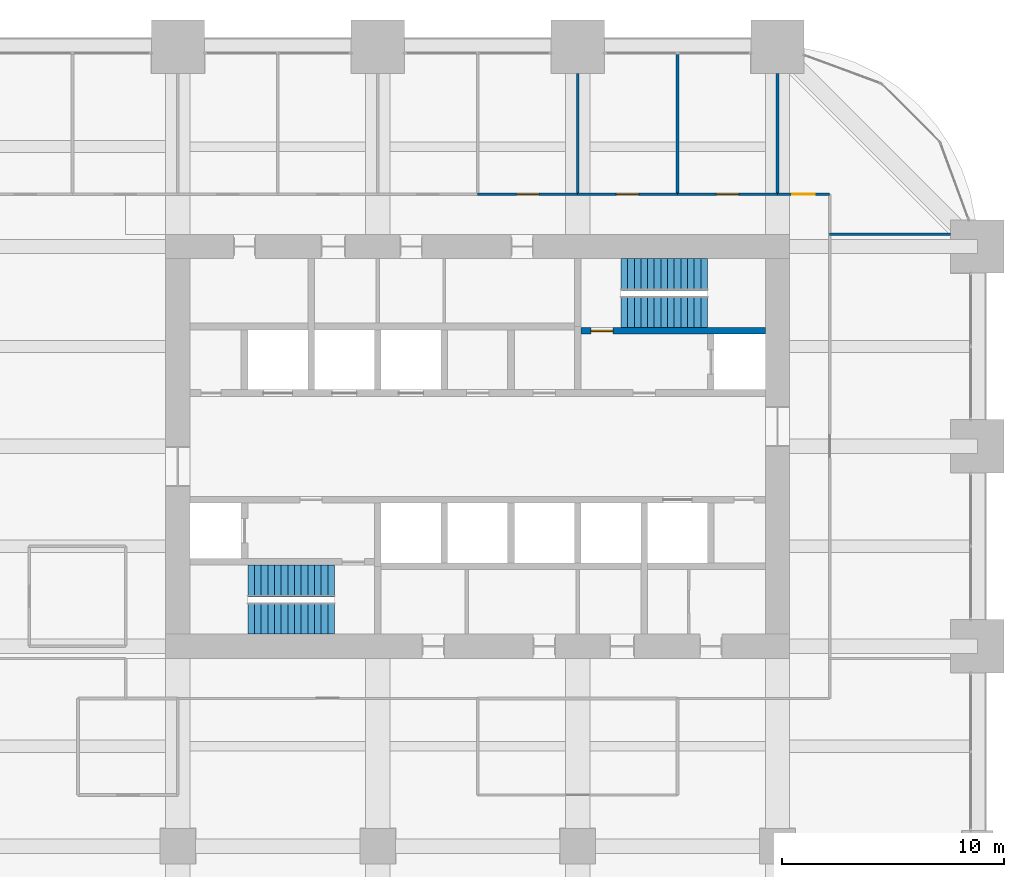
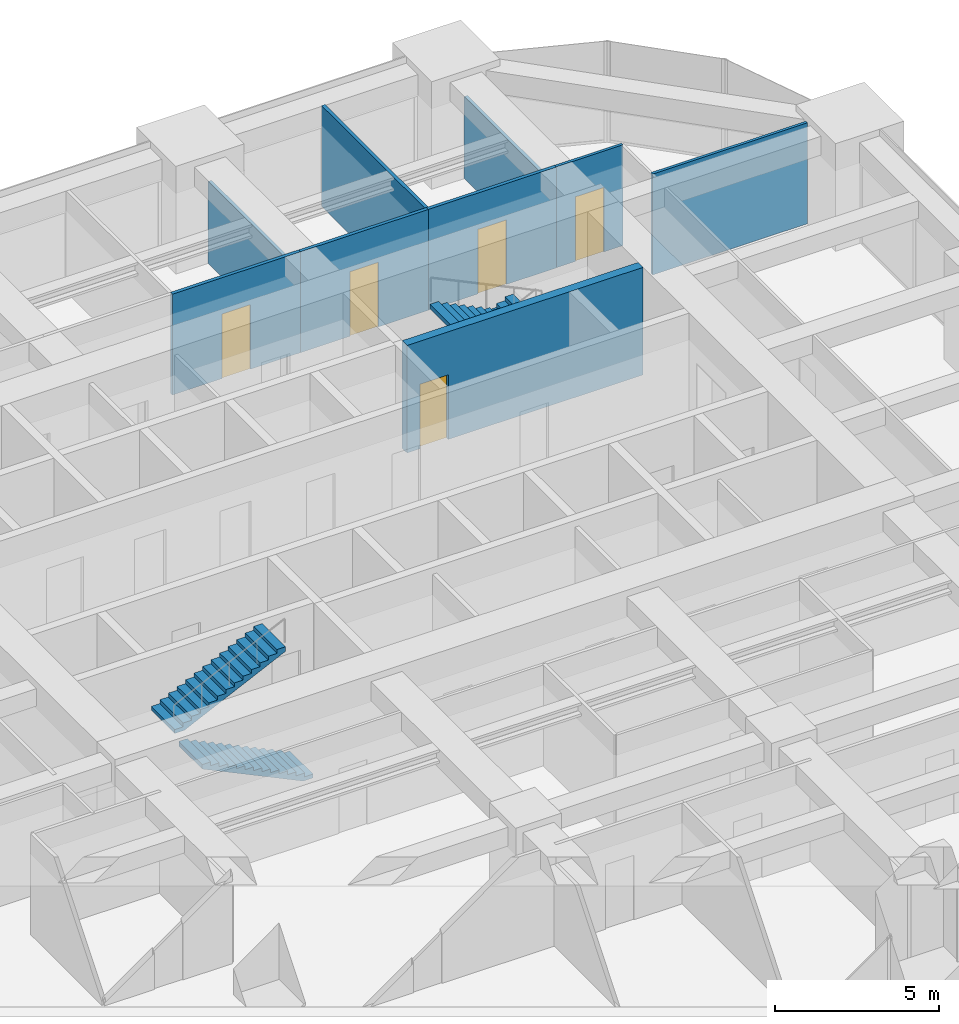
# One storey, part 32 of 34: 9 walls, 5 doors, 4 stair flights, 5 openings, 2 elements without a shape of their own.
"""IFC4 building model written with IfcOpenShell, lengths in metres."""

from ifc_helpers import new_model, si_unit, direction, frame, frame_2d, origin, place, context, subcontext, project, spatial, polyline, rectangle, outline, extrude, material, layer, layer_set, type_object, element, fill, aggregate, save


model = new_model("IFC4")

# Units and contexts
model_context = context("Model", 3, precision=1e-05, world=origin(), true_north=direction((0.0, 1.0)))
body_context = subcontext(model_context, "Body", "Model", "MODEL_VIEW")
ifc_project = project(units=[si_unit("LENGTHUNIT", "METRE"), si_unit("AREAUNIT", "SQUARE_METRE"), si_unit("VOLUMEUNIT", "CUBIC_METRE"), si_unit("PLANEANGLEUNIT", "RADIAN"), si_unit("MASSUNIT", "GRAM", prefix="KILO")], contexts=[model_context])

# Site, building, storey
site_placement = place(None, origin())
site = spatial("IfcSite", under=ifc_project, at=site_placement, CompositionType="ELEMENT")
building_placement = place(site_placement, origin())
building = spatial("IfcBuilding", under=site, at=building_placement, Name="Zorevar Civic Tower", CompositionType="ELEMENT")
storey_placement = place(building_placement, frame((0.0, 0.0, 170.199951171875)))
storey = spatial("IfcBuildingStorey", under=building, at=storey_placement, Name="L41", CompositionType="ELEMENT", Elevation=170.199951171875)

# Wall
ifc_material_1 = material(Name="Laminated glass in black aluminium frame", Category="aluminium")
ifc_layer_1 = layer(ifc_material_1, 0.10009765625)
ifc_layer_set_1 = layer_set([ifc_layer_1], Name="Glazed partition 100")
wall_type_1 = type_object("IfcWallType", Name="Glazed partition 100", PredefinedType="PARTITIONING", material=ifc_layer_set_1)
wall_1_placement = place(storey_placement, frame((47.35009765625, 36.550048828125, 0.0), z_axis=(0.0, 0.0, 1.0), x_axis=(1.0, 0.0, 0.0)))
element("IfcWall", 1, at=wall_1_placement, inside=storey, type_object=wall_type_1, Name="Glazed partition 100 L41", PredefinedType="PARTITIONING", context=body_context, shape_type="SweptSolid", body=[
    extrude(rectangle(XDim=5.449951171875, YDim=0.10009765625, at=frame_2d((2.72509765625, 0.0))), origin(), (0.0, 0.0, 1.0), 3.75),
])

# Wall, opening, door
wall_2_placement = place(storey_placement, frame((45.0, 38.35009765625, 0.0), z_axis=(0.0, 0.0, 1.0), x_axis=(1.0, 0.0, 0.0)))
wall_2 = element("IfcWall", 2, at=wall_2_placement, inside=storey, type_object=wall_type_1, Name="Glazed partition 100 L41", PredefinedType="PARTITIONING", context=body_context, shape_type="SweptSolid", body=[
    extrude(rectangle(XDim=2.35009765625, YDim=0.10009765625, at=frame_2d((1.175048828125, 0.0))), origin(), (0.0, 0.0, 1.0), 3.75),
])
opening_1_placement = place(wall_2_placement, frame((0.675048828125, 0.0, 0.0)))
opening_1 = element("IfcOpeningElement", 3, at=opening_1_placement, cuts=wall_2, Name="Opening L41.34", PredefinedType="OPENING", context=body_context, shape_type="SweptSolid", body=[
    extrude(rectangle(XDim=1.0, YDim=2.39990234375, at=frame_2d((0.5, 1.199951171875))), frame((0.0, 0.06005859375, 0.0), z_axis=(0.0, -1.0, 0.0), x_axis=(1.0, 0.0, 0.0)), (0.0, 0.0, 1.0), 0.1201171875),
])
ifc_material_2 = material(Name="Timber door set", Category="wood")
door_type_1 = type_object("IfcDoorType", Name="Glazed door GD1 1000x2400", OperationType="SINGLE_SWING_LEFT", PredefinedType="DOOR", material=ifc_material_2)
door_1_placement = place(opening_1_placement, origin())
door_1 = element("IfcDoor", 4, at=door_1_placement, inside=storey, type_object=door_type_1, Name="Door L41 D1", OperationType="SINGLE_SWING_RIGHT", OverallHeight=2.39990234375, OverallWidth=1.0, PredefinedType="DOOR", context=body_context, shape_type="SweptSolid", body=[
    extrude(rectangle(XDim=1.0, YDim=2.39990234375, at=frame_2d((0.5, 1.199951171875))), frame((0.0, 0.02001953125, 0.0), z_axis=(0.0, -1.0, 0.0), x_axis=(1.0, 0.0, 0.0)), (0.0, 0.0, 1.0), 0.0400390625),
])
fill(opening_1, door_1)

ifc_material_3 = material(Name="Concrete C40/50", Category="concrete")
ifc_layer_2 = layer(ifc_material_3, 0.300048828125)
ifc_layer_set_2 = layer_set([ifc_layer_2], Name="Inner core wall 300")
wall_type_2 = type_object("IfcWallType", Name="Inner core wall 300", PredefinedType="SHEAR", material=ifc_layer_set_2)
wall_3_placement = place(storey_placement, frame((36.14990234375, 32.199951171875, 0.0), z_axis=(0.0, 0.0, 1.0), x_axis=(1.0, 0.0, 0.0)))
wall_3 = element("IfcWall", 5, at=wall_3_placement, inside=storey, type_object=wall_type_2, Name="Inner core wall N00 L41", PredefinedType="SHEAR", context=body_context, shape_type="SweptSolid", body=[
    extrude(rectangle(XDim=8.300048828125, YDim=0.300048828125, at=frame_2d((4.14990234375, 0.0))), origin(), (0.0, 0.0, 1.0), 4.0),
])
opening_2_placement = place(wall_3_placement, frame((0.449951171875, 0.0, 0.0)))
opening_2 = element("IfcOpeningElement", 6, at=opening_2_placement, cuts=wall_3, Name="Opening L41.12", PredefinedType="OPENING", context=body_context, shape_type="SweptSolid", body=[
    extrude(rectangle(XDim=1.0, YDim=2.39990234375, at=frame_2d((0.5, 1.199951171875))), frame((0.0, 0.159912109375, 0.0), z_axis=(0.0, -1.0, 0.0), x_axis=(1.0, 0.0, 0.0)), (0.0, 0.0, 1.0), 0.320068359375),
])
ifc_material_4 = material(Name="Steel door set", Category="steel")
door_type_2 = type_object("IfcDoorType", Name="Fire door FD1 1000x2400", OperationType="SINGLE_SWING_LEFT", PredefinedType="DOOR", material=ifc_material_4)
door_2_placement = place(opening_2_placement, origin())
door_2 = element("IfcDoor", 7, at=door_2_placement, inside=storey, type_object=door_type_2, Name="Door L41 11", OperationType="SINGLE_SWING_RIGHT", OverallHeight=2.39990234375, OverallWidth=1.0, PredefinedType="DOOR", context=body_context, shape_type="SweptSolid", body=[
    extrude(rectangle(XDim=1.0, YDim=2.39990234375, at=frame_2d((0.5, 1.199951171875))), frame((0.0, 0.030029296875, 0.0), z_axis=(0.0, -1.0, 0.0), x_axis=(1.0, 0.0, 0.0)), (0.0, 0.0, 1.0), 0.06005859375),
])
fill(opening_2, door_2)

ifc_material_5 = material(Name="Gypsum board on steel studs", Category="steel")
ifc_layer_3 = layer(ifc_material_5, 0.1201171875)
ifc_layer_set_3 = layer_set([ifc_layer_3], Name="Partition 120")
wall_type_3 = type_object("IfcWallType", Name="Partition 120", PredefinedType="PARTITIONING", material=ifc_layer_set_3)
wall_4_placement = place(storey_placement, frame((31.5, 38.35009765625, 0.0), z_axis=(0.0, 0.0, 1.0), x_axis=(1.0, 0.0, 0.0)))
wall_4 = element("IfcWall", 8, at=wall_4_placement, inside=storey, type_object=wall_type_3, Name="Partition 120 L41", PredefinedType="PARTITIONING", context=body_context, shape_type="SweptSolid", body=[
    extrude(rectangle(XDim=4.5, YDim=0.1201171875, at=frame_2d((2.25, 0.0))), origin(), (0.0, 0.0, 1.0), 3.75),
])
opening_3_placement = place(wall_4_placement, frame((1.75, 0.0, 0.0)))
opening_3 = element("IfcOpeningElement", 9, at=opening_3_placement, cuts=wall_4, Name="Opening L41.31", PredefinedType="OPENING", context=body_context, shape_type="SweptSolid", body=[
    extrude(rectangle(XDim=1.0, YDim=2.39990234375, at=frame_2d((0.5, 1.199951171875))), frame((0.0, 0.070068359375, 0.0), z_axis=(0.0, -1.0, 0.0), x_axis=(1.0, 0.0, 0.0)), (0.0, 0.0, 1.0), 0.14013671875),
])
ifc_material_6 = material(Name="Timber door set", Category="wood")
door_type_3 = type_object("IfcDoorType", Name="Door D1 1000x2400", OperationType="SINGLE_SWING_LEFT", PredefinedType="DOOR", material=ifc_material_6)
door_3_placement = place(opening_3_placement, origin())
door_3 = element("IfcDoor", 10, at=door_3_placement, inside=storey, type_object=door_type_3, Name="Door L41 D1", OperationType="SINGLE_SWING_LEFT", OverallHeight=2.39990234375, OverallWidth=1.0, PredefinedType="DOOR", context=body_context, shape_type="SweptSolid", body=[
    extrude(rectangle(XDim=1.0, YDim=2.39990234375, at=frame_2d((0.5, 1.199951171875))), frame((0.0, 0.02490234375, 0.0), z_axis=(0.0, -1.0, 0.0), x_axis=(1.0, 0.0, 0.0)), (0.0, 0.0, 1.0), 0.050048828125),
])
fill(opening_3, door_3)

wall_5_placement = place(storey_placement, frame((36.0, 38.35009765625, 0.0), z_axis=(0.0, 0.0, 1.0), x_axis=(1.0, 0.0, 0.0)))
wall_5 = element("IfcWall", 11, at=wall_5_placement, inside=storey, type_object=wall_type_3, Name="Partition 120 L41", PredefinedType="PARTITIONING", context=body_context, shape_type="SweptSolid", body=[
    extrude(rectangle(XDim=4.5, YDim=0.1201171875, at=frame_2d((2.25, 0.0))), origin(), (0.0, 0.0, 1.0), 3.75),
])
opening_4_placement = place(wall_5_placement, frame((1.75, 0.0, 0.0)))
opening_4 = element("IfcOpeningElement", 12, at=opening_4_placement, cuts=wall_5, Name="Opening L41.32", PredefinedType="OPENING", context=body_context, shape_type="SweptSolid", body=[
    extrude(rectangle(XDim=1.0, YDim=2.39990234375, at=frame_2d((0.5, 1.199951171875))), frame((0.0, 0.070068359375, 0.0), z_axis=(0.0, -1.0, 0.0), x_axis=(1.0, 0.0, 0.0)), (0.0, 0.0, 1.0), 0.14013671875),
])
door_4_placement = place(opening_4_placement, origin())
door_4 = element("IfcDoor", 13, at=door_4_placement, inside=storey, type_object=door_type_3, Name="Door L41 D1", OperationType="SINGLE_SWING_RIGHT", OverallHeight=2.39990234375, OverallWidth=1.0, PredefinedType="DOOR", context=body_context, shape_type="SweptSolid", body=[
    extrude(rectangle(XDim=1.0, YDim=2.39990234375, at=frame_2d((0.5, 1.199951171875))), frame((0.0, 0.02490234375, 0.0), z_axis=(0.0, -1.0, 0.0), x_axis=(1.0, 0.0, 0.0)), (0.0, 0.0, 1.0), 0.050048828125),
])
fill(opening_4, door_4)

wall_6_placement = place(storey_placement, frame((40.5, 38.35009765625, 0.0), z_axis=(0.0, 0.0, 1.0), x_axis=(1.0, 0.0, 0.0)))
wall_6 = element("IfcWall", 14, at=wall_6_placement, inside=storey, type_object=wall_type_3, Name="Partition 120 L41", PredefinedType="PARTITIONING", context=body_context, shape_type="SweptSolid", body=[
    extrude(rectangle(XDim=4.5, YDim=0.1201171875, at=frame_2d((2.25, 0.0))), origin(), (0.0, 0.0, 1.0), 3.75),
])
opening_5_placement = place(wall_6_placement, frame((1.75, 0.0, 0.0)))
opening_5 = element("IfcOpeningElement", 15, at=opening_5_placement, cuts=wall_6, Name="Opening L41.33", PredefinedType="OPENING", context=body_context, shape_type="SweptSolid", body=[
    extrude(rectangle(XDim=1.0, YDim=2.39990234375, at=frame_2d((0.5, 1.199951171875))), frame((0.0, 0.070068359375, 0.0), z_axis=(0.0, -1.0, 0.0), x_axis=(1.0, 0.0, 0.0)), (0.0, 0.0, 1.0), 0.14013671875),
])
door_5_placement = place(opening_5_placement, origin())
door_5 = element("IfcDoor", 16, at=door_5_placement, inside=storey, type_object=door_type_3, Name="Door L41 D1", OperationType="SINGLE_SWING_LEFT", OverallHeight=2.39990234375, OverallWidth=1.0, PredefinedType="DOOR", context=body_context, shape_type="SweptSolid", body=[
    extrude(rectangle(XDim=1.0, YDim=2.39990234375, at=frame_2d((0.5, 1.199951171875))), frame((0.0, 0.02490234375, 0.0), z_axis=(0.0, -1.0, 0.0), x_axis=(1.0, 0.0, 0.0)), (0.0, 0.0, 1.0), 0.050048828125),
])
fill(opening_5, door_5)

# Walls
wall_7_placement = place(storey_placement, frame((36.0, 38.35009765625, 0.0), z_axis=(0.0, 0.0, 1.0), x_axis=(0.0, 1.0, 0.0)))
element("IfcWall", 17, at=wall_7_placement, inside=storey, type_object=wall_type_3, Name="Partition 120 L41", PredefinedType="PARTITIONING", context=body_context, shape_type="SweptSolid", body=[
    extrude(rectangle(XDim=5.449951171875, YDim=0.1201171875, at=frame_2d((2.72509765625, 0.0))), origin(), (0.0, 0.0, 1.0), 3.050048828125),
])
wall_8_placement = place(storey_placement, frame((40.5, 38.35009765625, 0.0), z_axis=(0.0, 0.0, 1.0), x_axis=(0.0, 1.0, 0.0)))
element("IfcWall", 18, at=wall_8_placement, inside=storey, type_object=wall_type_3, Name="Partition 120 L41", PredefinedType="PARTITIONING", context=body_context, shape_type="SweptSolid", body=[
    extrude(rectangle(XDim=6.33984375, YDim=0.1201171875, at=frame_2d((3.169921875, 0.0))), origin(), (0.0, 0.0, 1.0), 3.75),
])
wall_9_placement = place(storey_placement, frame((45.0, 38.35009765625, 0.0), z_axis=(0.0, 0.0, 1.0), x_axis=(0.0, 1.0, 0.0)))
element("IfcWall", 19, at=wall_9_placement, inside=storey, type_object=wall_type_3, Name="Partition 120 L41", PredefinedType="PARTITIONING", context=body_context, shape_type="SweptSolid", body=[
    extrude(rectangle(XDim=5.449951171875, YDim=0.1201171875, at=frame_2d((2.72509765625, 0.0))), origin(), (0.0, 0.0, 1.0), 3.050048828125),
])

# Stair, stair flights
ifc_material_7 = material(Name="Precast concrete C40/50", Category="concrete")
stair_type = type_object("IfcStairType", Name="Stair ST 28R", PredefinedType="HALF_TURN_STAIR", material=ifc_material_7)
stair_1_placement = place(storey_placement, origin())
stair_1 = element("IfcStair", 20, at=stair_1_placement, inside=storey, type_object=stair_type, Name="Stair ST1 L41", PredefinedType="HALF_TURN_STAIR")
ifc_material_8 = material(Name="Precast concrete C40/50", Category="concrete")
stair_flight_type = type_object("IfcStairFlightType", Name="Stair flight", PredefinedType="STRAIGHT", material=ifc_material_8)
stair_flight_1_placement = place(storey_placement, frame((25.050048828125, 19.262451171875, 0.0), z_axis=(0.0, 0.0, 1.0), x_axis=(-1.0, 0.0, 0.0)))
stair_flight_1 = element("IfcStairFlight", 21, at=stair_flight_1_placement, type_object=stair_flight_type, Name="ST1 flight 1", NumberOfRisers=14, NumberOfTreads=13, PredefinedType="STRAIGHT", RiserHeight=0.142857143, TreadLength=0.3, context=body_context, shape_type="SweptSolid", body=[
    extrude(outline(polyline([(0.0, 0.0), (0.0, 0.142822265625), (0.300048828125, 0.142822265625), (0.300048828125, 0.28564453125), (0.60009765625, 0.28564453125), (0.60009765625, 0.428466796875), (0.89990234375, 0.428466796875), (0.89990234375, 0.571533203125), (1.199951171875, 0.571533203125), (1.199951171875, 0.71435546875), (1.5, 0.71435546875), (1.5, 0.857177734375), (1.800048828125, 0.857177734375), (1.800048828125, 1.0), (2.10009765625, 1.0), (2.10009765625, 1.142822265625), (2.39990234375, 1.142822265625), (2.39990234375, 1.28564453125), (2.699951171875, 1.28564453125), (2.699951171875, 1.428466796875), (3.0, 1.428466796875), (3.0, 1.571533203125), (3.300048828125, 1.571533203125), (3.300048828125, 1.71435546875), (3.60009765625, 1.71435546875), (3.60009765625, 1.857177734375), (3.89990234375, 1.857177734375), (3.89990234375, 2.0), (3.89990234375, 1.691162109375), (0.3486328125, 0.0), (0.0, 0.0)])), frame((0.0, 0.71240234375, 0.0), z_axis=(0.0, -1.0, 0.0), x_axis=(1.0, 0.0, 0.0)), (0.0, 0.0, 1.0), 1.425048828125),
])
stair_flight_2_placement = place(storey_placement, frame((21.14990234375, 20.9375, 2.0), z_axis=(0.0, 0.0, 1.0), x_axis=(1.0, 0.0, 0.0)))
stair_flight_2 = element("IfcStairFlight", 22, at=stair_flight_2_placement, type_object=stair_flight_type, Name="ST1 flight 2", NumberOfRisers=14, NumberOfTreads=13, PredefinedType="STRAIGHT", RiserHeight=0.142857143, TreadLength=0.3, context=body_context, shape_type="SweptSolid", body=[
    extrude(outline(polyline([(0.0, 0.0), (0.0, 0.142822265625), (0.300048828125, 0.142822265625), (0.300048828125, 0.28564453125), (0.60009765625, 0.28564453125), (0.60009765625, 0.428466796875), (0.89990234375, 0.428466796875), (0.89990234375, 0.571533203125), (1.199951171875, 0.571533203125), (1.199951171875, 0.71435546875), (1.5, 0.71435546875), (1.5, 0.857177734375), (1.800048828125, 0.857177734375), (1.800048828125, 1.0), (2.10009765625, 1.0), (2.10009765625, 1.142822265625), (2.39990234375, 1.142822265625), (2.39990234375, 1.28564453125), (2.699951171875, 1.28564453125), (2.699951171875, 1.428466796875), (3.0, 1.428466796875), (3.0, 1.571533203125), (3.300048828125, 1.571533203125), (3.300048828125, 1.71435546875), (3.60009765625, 1.71435546875), (3.60009765625, 1.857177734375), (3.89990234375, 1.857177734375), (3.89990234375, 2.0), (3.89990234375, 1.691162109375), (0.3486328125, 0.0), (0.0, 0.0)])), frame((0.0, 0.71240234375, 0.0), z_axis=(0.0, -1.0, 0.0), x_axis=(1.0, 0.0, 0.0)), (0.0, 0.0, 1.0), 1.425048828125),
])
aggregate(stair_1, [stair_flight_1, stair_flight_2])

stair_2_placement = place(storey_placement, origin())
stair_2 = element("IfcStair", 23, at=stair_2_placement, inside=storey, type_object=stair_type, Name="Stair ST2 L41", PredefinedType="HALF_TURN_STAIR")
stair_flight_3_placement = place(storey_placement, frame((37.949951171875, 34.737548828125, 0.0), z_axis=(0.0, 0.0, 1.0), x_axis=(1.0, 0.0, 0.0)))
stair_flight_3 = element("IfcStairFlight", 24, at=stair_flight_3_placement, type_object=stair_flight_type, Name="ST2 flight 1", NumberOfRisers=14, NumberOfTreads=13, PredefinedType="STRAIGHT", RiserHeight=0.142857143, TreadLength=0.3, context=body_context, shape_type="SweptSolid", body=[
    extrude(outline(polyline([(0.0, 0.0), (0.0, 0.142822265625), (0.300048828125, 0.142822265625), (0.300048828125, 0.28564453125), (0.60009765625, 0.28564453125), (0.60009765625, 0.428466796875), (0.89990234375, 0.428466796875), (0.89990234375, 0.571533203125), (1.199951171875, 0.571533203125), (1.199951171875, 0.71435546875), (1.5, 0.71435546875), (1.5, 0.857177734375), (1.800048828125, 0.857177734375), (1.800048828125, 1.0), (2.10009765625, 1.0), (2.10009765625, 1.142822265625), (2.39990234375, 1.142822265625), (2.39990234375, 1.28564453125), (2.699951171875, 1.28564453125), (2.699951171875, 1.428466796875), (3.0, 1.428466796875), (3.0, 1.571533203125), (3.300048828125, 1.571533203125), (3.300048828125, 1.71435546875), (3.60009765625, 1.71435546875), (3.60009765625, 1.857177734375), (3.89990234375, 1.857177734375), (3.89990234375, 2.0), (3.89990234375, 1.691162109375), (0.3486328125, 0.0), (0.0, 0.0)])), frame((0.0, 0.71240234375, 0.0), z_axis=(0.0, -1.0, 0.0), x_axis=(1.0, 0.0, 0.0)), (0.0, 0.0, 1.0), 1.425048828125),
])
stair_flight_4_placement = place(storey_placement, frame((41.85009765625, 33.0625, 2.0), z_axis=(0.0, 0.0, 1.0), x_axis=(-1.0, 0.0, 0.0)))
stair_flight_4 = element("IfcStairFlight", 25, at=stair_flight_4_placement, type_object=stair_flight_type, Name="ST2 flight 2", NumberOfRisers=14, NumberOfTreads=13, PredefinedType="STRAIGHT", RiserHeight=0.142857143, TreadLength=0.3, context=body_context, shape_type="SweptSolid", body=[
    extrude(outline(polyline([(0.0, 0.0), (0.0, 0.142822265625), (0.300048828125, 0.142822265625), (0.300048828125, 0.28564453125), (0.60009765625, 0.28564453125), (0.60009765625, 0.428466796875), (0.89990234375, 0.428466796875), (0.89990234375, 0.571533203125), (1.199951171875, 0.571533203125), (1.199951171875, 0.71435546875), (1.5, 0.71435546875), (1.5, 0.857177734375), (1.800048828125, 0.857177734375), (1.800048828125, 1.0), (2.10009765625, 1.0), (2.10009765625, 1.142822265625), (2.39990234375, 1.142822265625), (2.39990234375, 1.28564453125), (2.699951171875, 1.28564453125), (2.699951171875, 1.428466796875), (3.0, 1.428466796875), (3.0, 1.571533203125), (3.300048828125, 1.571533203125), (3.300048828125, 1.71435546875), (3.60009765625, 1.71435546875), (3.60009765625, 1.857177734375), (3.89990234375, 1.857177734375), (3.89990234375, 2.0), (3.89990234375, 1.691162109375), (0.3486328125, 0.0), (0.0, 0.0)])), frame((0.0, 0.71240234375, 0.0), z_axis=(0.0, -1.0, 0.0), x_axis=(1.0, 0.0, 0.0)), (0.0, 0.0, 1.0), 1.425048828125),
])
aggregate(stair_2, [stair_flight_3, stair_flight_4])

save(model, "model.ifc")
